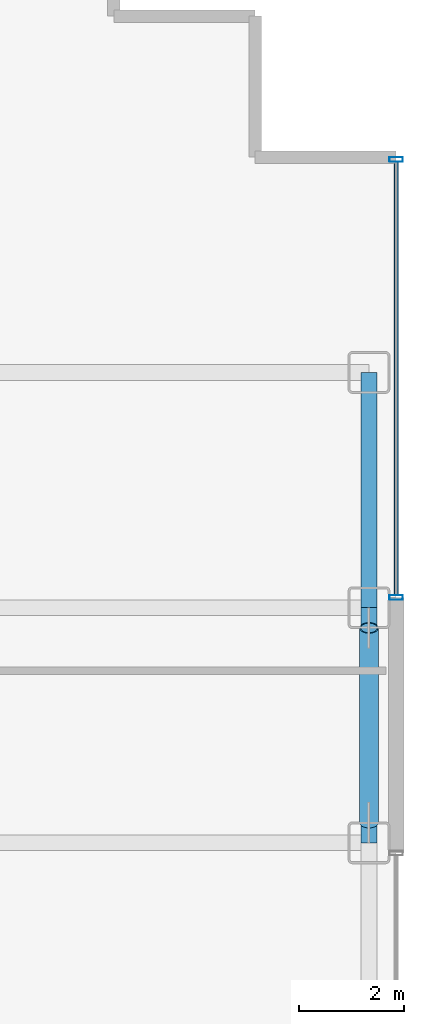
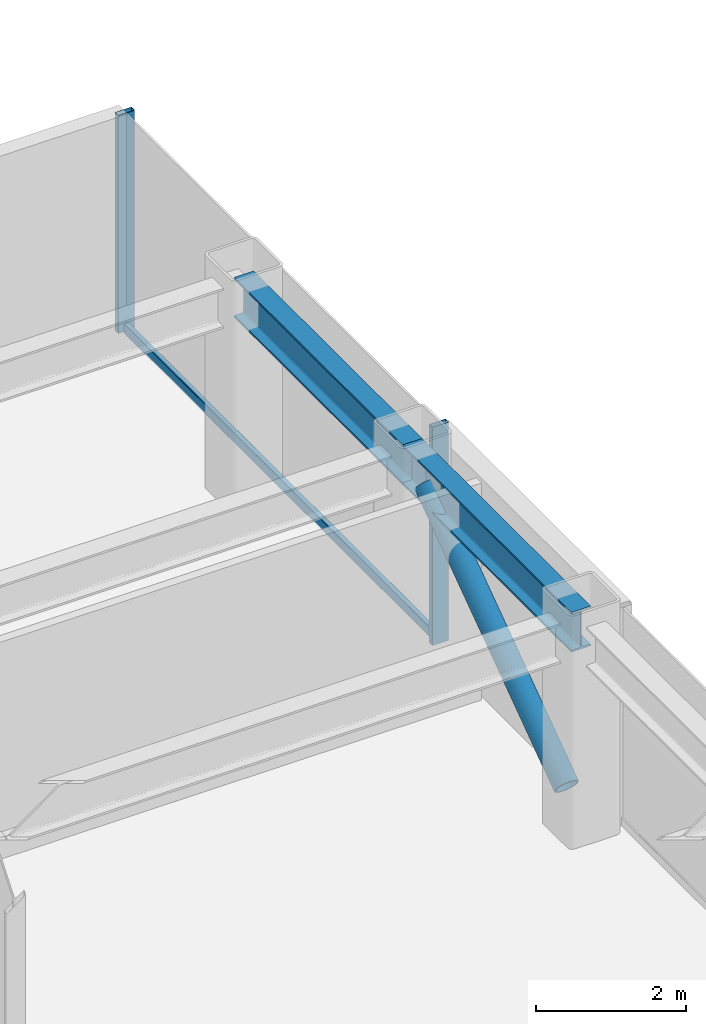
# One storey, part 19 of 29: 4 members, 2 beams, 1 element without a shape of its own.
"""IFC4 building model written with IfcOpenShell, lengths in metres."""

from ifc_helpers import new_model, si_unit, direction, frame, origin, origin_2d, place, context, subcontext, project, spatial, hollow_rectangle, hollow_circle, i_section, extrude, source, transform, mapped, material, layer, layer_set, material_profile, profile_set, type_object, element, aggregate, save


model = new_model("IFC4")

# Units and contexts
model_context = context("Model", 3, precision=1e-05, world=origin(), true_north=direction((0.0, 1.0)))
body_context = subcontext(model_context, "Body", "Model", "MODEL_VIEW")
ifc_project = project(units=[si_unit("LENGTHUNIT", "METRE"), si_unit("AREAUNIT", "SQUARE_METRE"), si_unit("VOLUMEUNIT", "CUBIC_METRE"), si_unit("PLANEANGLEUNIT", "RADIAN"), si_unit("MASSUNIT", "GRAM", prefix="KILO")], contexts=[model_context])

# Site, building, storey
site_placement = place(None, origin())
site = spatial("IfcSite", under=ifc_project, at=site_placement, CompositionType="ELEMENT")
building_placement = place(site_placement, origin())
building = spatial("IfcBuilding", under=site, at=building_placement, Name="Nefas-Gora Pilgrimage Tower", CompositionType="ELEMENT")
storey_placement = place(building_placement, frame((0.0, 0.0, 113.60009765625)))
storey = spatial("IfcBuildingStorey", under=building, at=storey_placement, Name="L27", CompositionType="ELEMENT", Elevation=113.60009765625)

# Beams
ifc_material_1 = material(Name="Steel S355", Category="steel")
ifc_material_profile_1 = material_profile(ifc_material_1, i_section(OverallWidth=0.300048828125, OverallDepth=0.64990234375, WebThickness=0.01611328125, FlangeThickness=0.031005859375, FilletRadius=0.027099609375, at=origin_2d()), Name="HEB 650")
ifc_profile_set_1 = profile_set([ifc_material_profile_1], Name="Steel S355")
beam_type = type_object("IfcBeamType", Name="BM-SPN-HEB500", PredefinedType="SPANDREL", material=ifc_profile_set_1)
shared_shape_1 = source(origin(), body_context, "Body", "SweptSolid", [
    extrude(i_section(OverallWidth=0.300048828125, OverallDepth=0.64990234375, WebThickness=0.01611328125, FlangeThickness=0.031005859375, FilletRadius=0.027099609375, at=origin_2d()), origin(), (0.0, 0.0, 1.0), 4.5),
])
for number, where, z_axis, x_axis, name in (
    (1, (33.75, 4.5, 3.224853515625), (0.0, 1.0, 0.0), (-1.0, 0.0, 0.0), "L27 SP-02 beam"),
    (2, (33.75, 9.0, 3.224853515625), (0.0, 1.0, 0.0), (-1.0, 0.0, 0.0), "L27 SP-02 beam"),
):
    element("IfcBeam", number, at=place(storey_placement, frame(where, z_axis=z_axis, x_axis=x_axis)), inside=storey, type_object=beam_type, Name=name, PredefinedType="SPANDREL", context=body_context, shape_type="MappedRepresentation", body=[
        mapped(shared_shape_1, transform((0.0, 0.0, 0.0), x_axis=(1.0, 0.0, 0.0), y_axis=(0.0, 1.0, 0.0), z_axis=(0.0, 0.0, 1.0), scale=1.0)),
    ])

# Member
ifc_material_2 = material(Name="Steel S460", Category="steel")
ifc_material_profile_2 = material_profile(ifc_material_2, hollow_circle(Radius=0.177734375, WallThickness=0.02001953125, at=origin_2d()), Name="CHS 355.6x20")
ifc_profile_set_2 = profile_set([ifc_material_profile_2], Name="Steel S460")
member_type_1 = type_object("IfcMemberType", Name="MEM-TUBE-356", PredefinedType="BRACE", material=ifc_profile_set_2)
shared_shape_2 = source(origin(), body_context, "Body", "SweptSolid", [
    extrude(hollow_circle(Radius=0.177734375, WallThickness=0.02001953125, at=origin_2d()), origin(), (0.0, 0.0, 1.0), 4.579345703125),
])
member_1_placement = place(storey_placement, frame((33.75, 4.887939453125, 0.427490234375), z_axis=(0.0, 0.813246879171, 0.581918820385), x_axis=(-1.0, 0.0, 0.0)))
element("IfcMember", 3, at=member_1_placement, inside=storey, type_object=member_type_1, Name="L27 Perimeter Tube Diagonal Brace E2", PredefinedType="BRACE", context=body_context, shape_type="MappedRepresentation", body=[
    mapped(shared_shape_2, transform((0.0, 0.0, 0.0), x_axis=(1.0, 0.0, 0.0), y_axis=(0.0, 1.0, 0.0), z_axis=(0.0, 0.0, 1.0), scale=1.0)),
])

# Curtain wall, members
ifc_material_3 = material(Name="Dark ceramic-fritted solar-control aluminium-glass curtain wall", Category="aluminium")
ifc_layer = layer(ifc_material_3, 0.219970703125)
ifc_layer_set = layer_set([ifc_layer], Name="Dark ceramic-fritted solar-control aluminium-glass curtain wall")
curtain_wall_type = type_object("IfcCurtainWallType", Name="CW-SYS-2", PredefinedType="NOTDEFINED", material=ifc_layer_set)
curtain_wall_placement = place(storey_placement, origin())
curtain_wall = element("IfcCurtainWall", 4, at=curtain_wall_placement, inside=storey, type_object=curtain_wall_type, Name="L27 Unitised Curtain Wall CW2", PredefinedType="NOTDEFINED")
ifc_material_4 = material(Name="Anodised architectural aluminium", Category="aluminium")
ifc_material_profile_3 = material_profile(ifc_material_4, hollow_rectangle(XDim=0.080078125, YDim=0.159912109375, WallThickness=0.00439453125, InnerFilletRadius=0.00439453125, OuterFilletRadius=0.009033203125, at=origin_2d()), Name="ALU TRANSOM 80x160")
ifc_profile_set_3 = profile_set([ifc_material_profile_3], Name="Anodised architectural aluminium")
member_type_2 = type_object("IfcMemberType", Name="CWM-TRN-2", PredefinedType="USERDEFINED", material=ifc_profile_set_3)
shared_shape_3 = source(origin(), body_context, "Body", "SweptSolid", [
    extrude(hollow_rectangle(XDim=0.080078125, YDim=0.159912109375, WallThickness=0.00439453125, InnerFilletRadius=0.00439453125, OuterFilletRadius=0.009033203125, at=origin_2d()), origin(), (0.0, 0.0, 1.0), 8.2900390625),
])
member_2_placement = place(storey_placement, frame((34.27001953125, 9.239990234375, 0.0498046875), z_axis=(0.0, 1.0, 0.0), x_axis=(-1.0, 0.0, 0.0)))
member_2 = element("IfcMember", 5, at=member_2_placement, type_object=member_type_2, Name="CW2 Spandrel Transom", ObjectType="TRANSOM", PredefinedType="USERDEFINED", context=body_context, shape_type="MappedRepresentation", body=[
    mapped(shared_shape_3, transform((0.0, 0.0, 0.0), x_axis=(1.0, 0.0, 0.0), y_axis=(0.0, 1.0, 0.0), z_axis=(0.0, 0.0, 1.0), scale=1.0)),
])
ifc_material_profile_4 = material_profile(ifc_material_4, hollow_rectangle(XDim=0.090087890625, YDim=0.260009765625, WallThickness=0.006103515625, InnerFilletRadius=0.006103515625, OuterFilletRadius=0.011962890625, at=origin_2d()), Name="ALU MULLION 90x260")
ifc_profile_set_4 = profile_set([ifc_material_profile_4], Name="Anodised architectural aluminium")
member_type_3 = type_object("IfcMemberType", Name="CWM-MUL-2", PredefinedType="MULLION", material=ifc_profile_set_4)
shared_shape_4 = source(origin(), body_context, "Body", "SweptSolid", [
    extrude(hollow_rectangle(XDim=0.090087890625, YDim=0.260009765625, WallThickness=0.006103515625, InnerFilletRadius=0.006103515625, OuterFilletRadius=0.011962890625, at=origin_2d()), origin(), (0.0, 0.0, 1.0), 3.5498046875),
])
member_3_placement = place(storey_placement, frame((34.27001953125, 9.195068359375, 0.0), z_axis=(0.0, 0.0, 1.0), x_axis=(0.0, 1.0, 0.0)))
member_3 = element("IfcMember", 6, at=member_3_placement, type_object=member_type_3, Name="CW2 Mullion 1", PredefinedType="MULLION", context=body_context, shape_type="MappedRepresentation", body=[
    mapped(shared_shape_4, transform((0.0, 0.0, 0.0), x_axis=(1.0, 0.0, 0.0), y_axis=(0.0, 1.0, 0.0), z_axis=(0.0, 0.0, 1.0), scale=1.0)),
])
member_4_placement = place(storey_placement, frame((34.27001953125, 17.574951171875, 0.0), z_axis=(0.0, 0.0, 1.0), x_axis=(0.0, 1.0, 0.0)))
member_4 = element("IfcMember", 7, at=member_4_placement, type_object=member_type_3, Name="CW2 Mullion 2", PredefinedType="MULLION", context=body_context, shape_type="MappedRepresentation", body=[
    mapped(shared_shape_4, transform((0.0, 0.0, 0.0), x_axis=(1.0, 0.0, 0.0), y_axis=(0.0, 1.0, 0.0), z_axis=(0.0, 0.0, 1.0), scale=1.0)),
])
aggregate(curtain_wall, [member_3, member_4, member_2])

save(model, "model.ifc")
